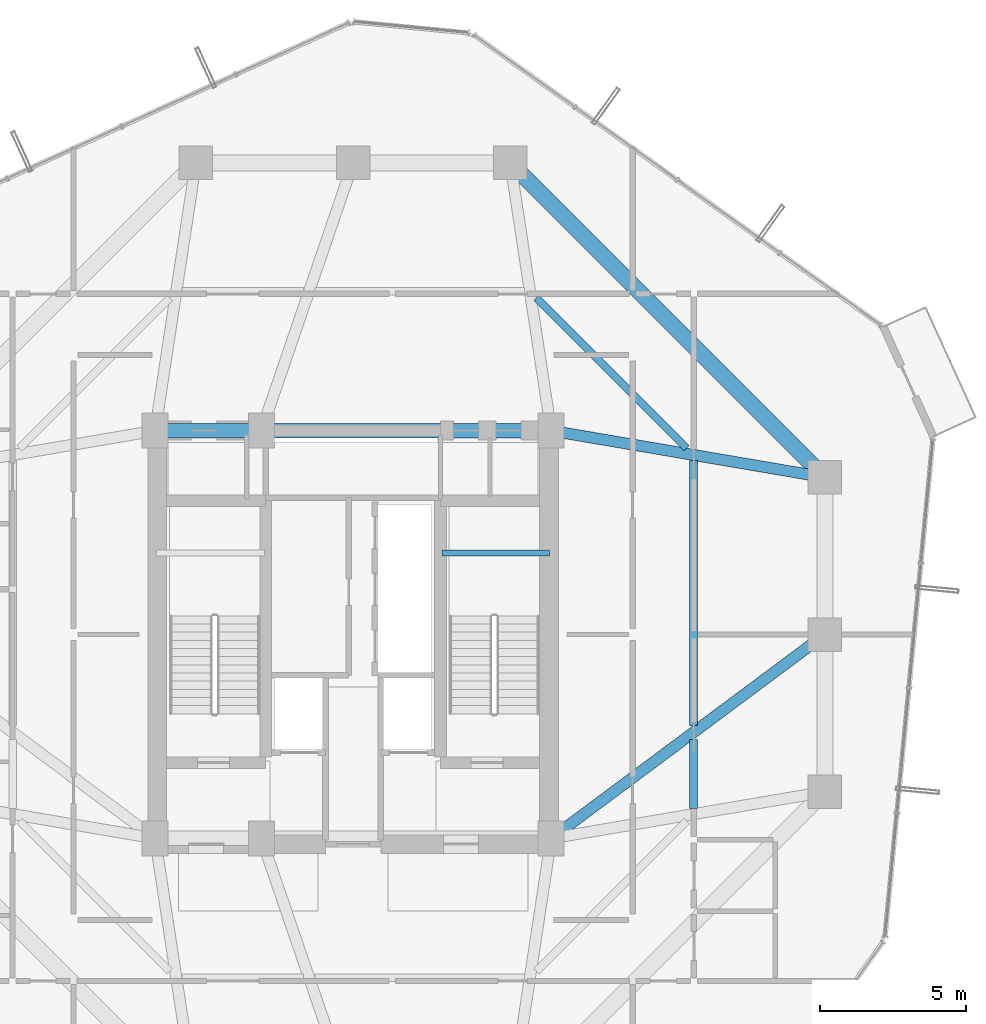
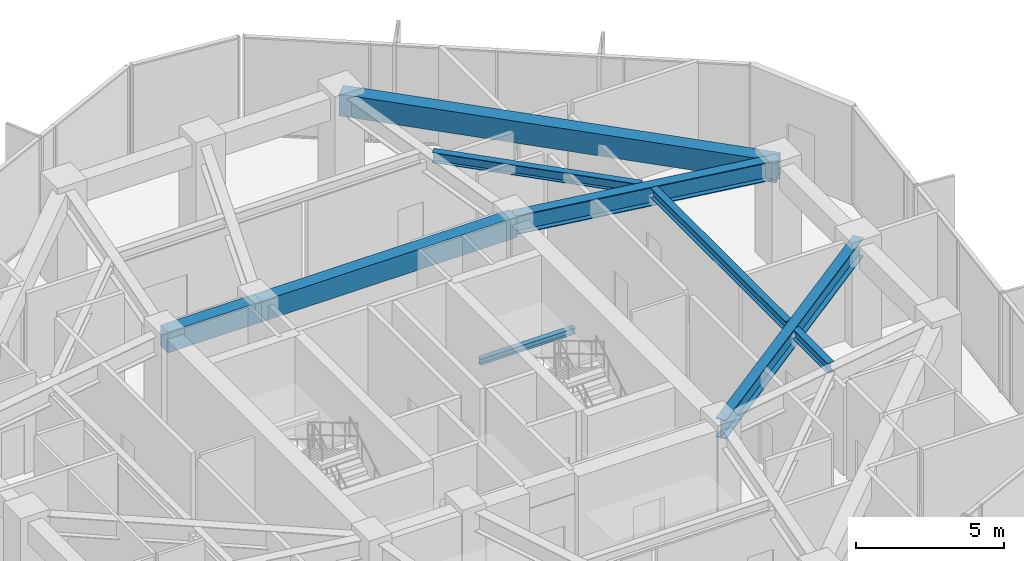
# One storey, part 11 of 25: 9 beams.
"""IFC4 building model written with IfcOpenShell, lengths in metres."""

from ifc_helpers import new_model, si_unit, direction, frame, origin, origin_2d, place, context, subcontext, project, spatial, rectangle, i_section, extrude, material, material_profile, profile_set, type_object, element, save


model = new_model("IFC4")

# Units and contexts
model_context = context("Model", 3, precision=1e-05, world=origin(), true_north=direction((0.0, 1.0)))
body_context = subcontext(model_context, "Body", "Model", "MODEL_VIEW")
ifc_project = project(units=[si_unit("LENGTHUNIT", "METRE"), si_unit("AREAUNIT", "SQUARE_METRE"), si_unit("VOLUMEUNIT", "CUBIC_METRE"), si_unit("PLANEANGLEUNIT", "RADIAN"), si_unit("MASSUNIT", "GRAM", prefix="KILO")], contexts=[model_context])

# Site, building, storey
site_placement = place(None, origin())
site = spatial("IfcSite", under=ifc_project, at=site_placement, CompositionType="ELEMENT")
building_placement = place(site_placement, origin())
building = spatial("IfcBuilding", under=site, at=building_placement, Name="Veraguas Prism Commons", CompositionType="ELEMENT")
storey_placement = place(building_placement, frame((0.0, 0.0, 108.949951171875)))
storey = spatial("IfcBuildingStorey", under=building, at=storey_placement, Name="L30", CompositionType="ELEMENT", Elevation=108.949951171875)

# Beams
ifc_material_1 = material(Name="Steel ASTM A992 Grade 50", Category="steel")
ifc_material_profile_1 = material_profile(ifc_material_1, i_section(OverallWidth=0.382080078125, OverallDepth=0.779052734375, WebThickness=0.01806640625, FlangeThickness=0.030029296875, at=origin_2d()), Name="W760X284")
ifc_profile_set_1 = profile_set([ifc_material_profile_1], Name="Steel ASTM A992 Grade 50")
beam_type_1 = type_object("IfcBeamType", Name="Assembly Primary Girder W760x284", PredefinedType="BEAM", material=ifc_profile_set_1)
beam_1_placement = place(storey_placement, frame((40.199951171875, 24.0, 3.66064453125), z_axis=(-0.802040137921, -0.597270137512, 0.0), x_axis=(0.597270137512, -0.802040137921, 0.0)))
element("IfcBeam", 1, at=beam_1_placement, inside=storey, type_object=beam_type_1, Name="Radial Floor Girder L30-RD02", PredefinedType="BEAM", context=body_context, shape_type="SweptSolid", body=[
    extrude(i_section(OverallWidth=0.382080078125, OverallDepth=0.779052734375, WebThickness=0.01806640625, FlangeThickness=0.030029296875, at=origin_2d()), origin(), (0.0, 0.0, 1.0), 11.719970703125),
])
beam_2_placement = place(storey_placement, frame((40.199951171875, 29.39990234375, 3.66064453125), z_axis=(-0.985819187151, 0.1678109956, 0.0), x_axis=(-0.1678109956, -0.985819187151, 0.0)))
element("IfcBeam", 2, at=beam_2_placement, inside=storey, type_object=beam_type_1, Name="Radial Floor Girder L30-RD03", PredefinedType="BEAM", context=body_context, shape_type="SweptSolid", body=[
    extrude(i_section(OverallWidth=0.382080078125, OverallDepth=0.779052734375, WebThickness=0.01806640625, FlangeThickness=0.030029296875, at=origin_2d()), origin(), (0.0, 0.0, 1.0), 9.53515625),
])
ifc_material_2 = material(Name="Concrete C50/60", Category="concrete")
ifc_material_profile_2 = material_profile(ifc_material_2, rectangle(XDim=0.5, YDim=0.85009765625, at=origin_2d()), Name="RC500X850")
ifc_profile_set_2 = profile_set([ifc_material_profile_2], Name="Concrete C50/60")
beam_type_2 = type_object("IfcBeamType", Name="Core Coupling Beam RC 500x850", PredefinedType="BEAM", material=ifc_profile_set_2)
beam_3_placement = place(storey_placement, frame((17.199951171875, 31.0, 3.625), z_axis=(1.0, 0.0, 0.0), x_axis=(0.0, 1.0, 0.0)))
element("IfcBeam", 3, at=beam_3_placement, inside=storey, type_object=beam_type_2, Name="Core Coupling Beam L30-CRN1", PredefinedType="BEAM", context=body_context, shape_type="SweptSolid", body=[
    extrude(rectangle(XDim=0.5, YDim=0.85009765625, at=origin_2d()), origin(), (0.0, 0.0, 1.0), 3.650146484375),
])
beam_4_placement = place(storey_placement, frame((20.85009765625, 31.0, 3.625), z_axis=(1.0, 0.0, 0.0), x_axis=(0.0, 1.0, 0.0)))
element("IfcBeam", 4, at=beam_4_placement, inside=storey, type_object=beam_type_2, Name="Core Coupling Beam L30-CRN2", PredefinedType="BEAM", context=body_context, shape_type="SweptSolid", body=[
    extrude(rectangle(XDim=0.5, YDim=0.85009765625, at=origin_2d()), origin(), (0.0, 0.0, 1.0), 9.949951171875),
])
ifc_material_profile_3 = material_profile(ifc_material_1, i_section(OverallWidth=0.260986328125, OverallDepth=0.419921875, WebThickness=0.01171875, FlangeThickness=0.019287109375, at=origin_2d()), Name="W410X114")
ifc_profile_set_3 = profile_set([ifc_material_profile_3], Name="Steel ASTM A992 Grade 50")
beam_type_3 = type_object("IfcBeamType", Name="Lower Floor Joist W410x114", PredefinedType="JOIST", material=ifc_profile_set_3)
beam_5_placement = place(storey_placement, frame((35.68798828125, 18.023681640625, 3.840087890625), z_axis=(0.0, 1.0, 0.0), x_axis=(-1.0, 0.0, 0.0)))
element("IfcBeam", 5, at=beam_5_placement, inside=storey, type_object=beam_type_3, Name="Composite Floor Joist L30-JS01", PredefinedType="JOIST", context=body_context, shape_type="SweptSolid", body=[
    extrude(i_section(OverallWidth=0.260986328125, OverallDepth=0.419921875, WebThickness=0.01171875, FlangeThickness=0.019287109375, at=origin_2d()), origin(), (0.0, 0.0, 1.0), 2.380615234375),
])
beam_6_placement = place(storey_placement, frame((35.68798828125, 20.87548828125, 3.840087890625), z_axis=(0.0, 1.0, 0.0), x_axis=(-1.0, 0.0, 0.0)))
element("IfcBeam", 6, at=beam_6_placement, inside=storey, type_object=beam_type_3, Name="Composite Floor Joist L30-JS02", PredefinedType="JOIST", context=body_context, shape_type="SweptSolid", body=[
    extrude(i_section(OverallWidth=0.260986328125, OverallDepth=0.419921875, WebThickness=0.01171875, FlangeThickness=0.019287109375, at=origin_2d()), origin(), (0.0, 0.0, 1.0), 9.100830078125),
])
beam_7_placement = place(storey_placement, frame((35.45703125, 30.39892578125, 3.840087890625), z_axis=(-0.707090051465, 0.707123510512, 0.0), x_axis=(-0.707123510512, -0.707090051465, 0.0)))
element("IfcBeam", 7, at=beam_7_placement, inside=storey, type_object=beam_type_3, Name="Composite Floor Joist L30-JS03", PredefinedType="JOIST", context=body_context, shape_type="SweptSolid", body=[
    extrude(i_section(OverallWidth=0.260986328125, OverallDepth=0.419921875, WebThickness=0.01171875, FlangeThickness=0.019287109375, at=origin_2d()), origin(), (0.0, 0.0, 1.0), 7.296630859375),
])
ifc_material_profile_4 = material_profile(ifc_material_2, rectangle(XDim=0.550048828125, YDim=0.89990234375, at=origin_2d()), Name="RC550X900")
ifc_profile_set_4 = profile_set([ifc_material_profile_4], Name="Concrete C50/60")
beam_type_4 = type_object("IfcBeamType", Name="Perimeter Spandrel Lower RC 550x900", PredefinedType="SPANDREL", material=ifc_profile_set_4)
beam_8_placement = place(storey_placement, frame((40.199951171875, 29.39990234375, 3.60009765625), z_axis=(-0.707106781187, 0.707106781187, 0.0), x_axis=(-0.707106781187, -0.707106781187, 0.0)))
element("IfcBeam", 8, at=beam_8_placement, inside=storey, type_object=beam_type_4, Name="Perimeter Spandrel Beam L30-SP03", PredefinedType="SPANDREL", context=body_context, shape_type="SweptSolid", body=[
    extrude(rectangle(XDim=0.550048828125, YDim=0.89990234375, at=origin_2d()), origin(), (0.0, 0.0, 1.0), 15.273681640625),
])
ifc_material_profile_5 = material_profile(ifc_material_1, i_section(OverallWidth=0.202880859375, OverallDepth=0.251953125, WebThickness=0.008056640625, FlangeThickness=0.013427734375, at=origin_2d()), Name="W250X58")
ifc_profile_set_5 = profile_set([ifc_material_profile_5], Name="Steel ASTM A992 Grade 50")
beam_type_5 = type_object("IfcBeamType", Name="Structural Opening Lintel W250x58", PredefinedType="LINTEL", material=ifc_profile_set_5)
beam_9_placement = place(storey_placement, frame((27.050048828125, 26.800048828125, 1.823974609375), z_axis=(1.0, 0.0, 0.0), x_axis=(0.0, 1.0, 0.0)))
element("IfcBeam", 9, at=beam_9_placement, inside=storey, type_object=beam_type_5, Name="Stair ST-02 Half-Landing Support Beam L30-1", PredefinedType="LINTEL", context=body_context, shape_type="SweptSolid", body=[
    extrude(i_section(OverallWidth=0.202880859375, OverallDepth=0.251953125, WebThickness=0.008056640625, FlangeThickness=0.013427734375, at=origin_2d()), origin(), (0.0, 0.0, 1.0), 3.699951171875),
])

save(model, "model.ifc")
